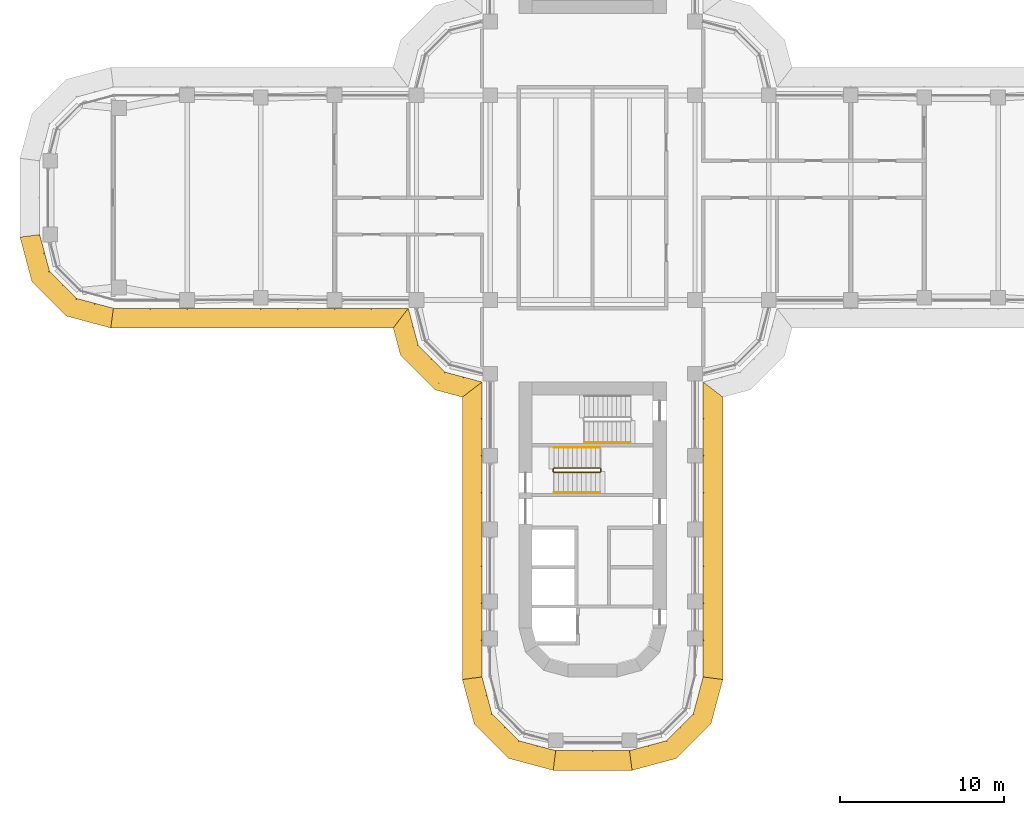
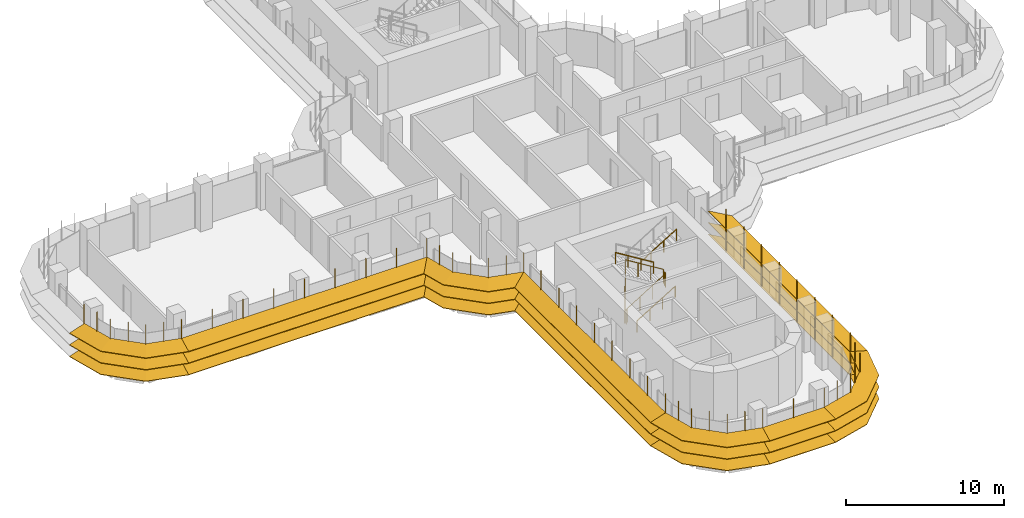
# One storey, part 19 of 22: 8 shading devices, 4 railings.
"""IFC4 building model written with IfcOpenShell, lengths in metres."""

from ifc_helpers import new_model, si_unit, direction, frame, origin, origin_2d, place, context, subcontext, project, spatial, polyline, circle, outline, extrude, faceted_brep, source, transform, mapped, material, type_object, element, save


model = new_model("IFC4")

# Units and contexts
model_context = context("Model", 3, precision=1e-05, world=origin(), true_north=direction((0.0, 1.0)))
body_context = subcontext(model_context, "Body", "Model", "MODEL_VIEW")
ifc_project = project(units=[si_unit("LENGTHUNIT", "METRE"), si_unit("AREAUNIT", "SQUARE_METRE"), si_unit("VOLUMEUNIT", "CUBIC_METRE"), si_unit("PLANEANGLEUNIT", "RADIAN"), si_unit("MASSUNIT", "GRAM", prefix="KILO")], contexts=[model_context])

# Site, building, storey
site_placement = place(None, origin())
site = spatial("IfcSite", under=ifc_project, at=site_placement, CompositionType="ELEMENT")
building_placement = place(site_placement, origin())
building = spatial("IfcBuilding", under=site, at=building_placement, Name="Zarbagh Exchange Tower", CompositionType="ELEMENT")
storey_placement = place(building_placement, frame((0.0, 0.0, 132.199951171875)))
storey = spatial("IfcBuildingStorey", under=building, at=storey_placement, Name="L31", CompositionType="ELEMENT", Elevation=132.199951171875)

# Railings
ifc_material_1 = material(Name="Stainless steel", Category="steel")
railing_type_1 = type_object("IfcRailingType", Name="Stair guard 1100 mm", PredefinedType="GUARDRAIL", material=ifc_material_1)
railing_1_placement = place(storey_placement, frame((0.449951171875, -16.5, 2.07275390625)))
element("IfcRailing", 1, at=railing_1_placement, inside=storey, type_object=railing_type_1, Name="ST3 stair guard 1", PredefinedType="GUARDRAIL", context=body_context, shape_type="SweptSolid", body=[
    extrude(circle(Radius=0.02392578125, at=origin_2d()), frame((0.0, 0.0, 1.076171875), z_axis=(-0.851089632645, 0.0, 0.525020415988), x_axis=(0.0, -1.0, 0.0)), (0.0, 0.0, 1.0), 3.2900390625),
    extrude(circle(Radius=0.02392578125, at=origin_2d()), frame((-2.800048828125, 0.0, 2.80322265625), z_axis=(-0.013104066473, -0.013168302093, -0.99982742474), x_axis=(0.708833529934, -0.705375805398, 0.0)), (0.0, 0.0, 1.0), 3.80078125),
    extrude(circle(Radius=0.02392578125, at=origin_2d()), frame((-2.849853515625, -0.050048828125, -0.99658203125), z_axis=(0.0, -1.0, 0.0), x_axis=(1.0, 0.0, 0.0)), (0.0, 0.0, 1.0), 0.14990234375),
    extrude(circle(Radius=0.02392578125, at=origin_2d()), frame((-2.849853515625, -0.199951171875, -0.99658203125), z_axis=(0.266739603011, -0.268047150085, 0.925743328097), x_axis=(0.708833529934, 0.705375805398, 0.0)), (0.0, 0.0, 1.0), 0.186767578125),
    extrude(circle(Radius=0.02392578125, at=origin_2d()), frame((-2.800048828125, -0.25, -0.82373046875), z_axis=(0.851089632645, 0.0, 0.525020415988), x_axis=(0.0, 1.0, 0.0)), (0.0, 0.0, 1.0), 3.2900390625),
    extrude(circle(Radius=0.02392578125, at=origin_2d()), frame((0.0, -0.25, 0.9033203125), z_axis=(0.707106781187, 0.707106781187, 0.0), x_axis=(-0.707106781187, 0.707106781187, 0.0)), (0.0, 0.0, 1.0), 0.07080078125),
    extrude(circle(Radius=0.02392578125, at=origin_2d()), frame((0.050048828125, -0.199951171875, 0.9033203125), z_axis=(0.0, 1.0, 0.0), x_axis=(-1.0, 0.0, 0.0)), (0.0, 0.0, 1.0), 0.14990234375),
    extrude(circle(Radius=0.02099609375, at=origin_2d()), origin(), (0.0, 0.0, 1.0), 1.052001953125),
    extrude(circle(Radius=0.02099609375, at=origin_2d()), frame((-0.933349609375, 0.0, 0.57568359375)), (0.0, 0.0, 1.0), 1.052001953125),
    extrude(circle(Radius=0.02099609375, at=origin_2d()), frame((-1.86669921875, 0.0, 1.151611328125)), (0.0, 0.0, 1.0), 1.052001953125),
    extrude(circle(Radius=0.02099609375, at=origin_2d()), frame((-2.800048828125, 0.0, 1.727294921875)), (0.0, 0.0, 1.0), 1.052001953125),
    extrude(circle(Radius=0.02099609375, at=origin_2d()), frame((-2.8125, -0.012451171875, 0.77734375)), (0.0, 0.0, 1.0), 1.052001953125),
    extrude(circle(Radius=0.02099609375, at=origin_2d()), frame((-2.824951171875, -0.02490234375, -0.1728515625)), (0.0, 0.0, 1.0), 1.052001953125),
    extrude(circle(Radius=0.02099609375, at=origin_2d()), frame((-2.83740234375, -0.03759765625, -1.122802734375)), (0.0, 0.0, 1.0), 1.052001953125),
    extrude(circle(Radius=0.02099609375, at=origin_2d()), frame((-2.849853515625, -0.050048828125, -2.07275390625)), (0.0, 0.0, 1.0), 1.052001953125),
    extrude(circle(Radius=0.02099609375, at=origin_2d()), frame((-2.849853515625, -0.199951171875, -2.07275390625)), (0.0, 0.0, 1.0), 1.052001953125),
    extrude(circle(Radius=0.02099609375, at=origin_2d()), frame((-2.800048828125, -0.25, -1.89990234375)), (0.0, 0.0, 1.0), 1.052001953125),
    extrude(circle(Radius=0.02099609375, at=origin_2d()), frame((-1.86669921875, -0.25, -1.32421875)), (0.0, 0.0, 1.0), 1.052001953125),
    extrude(circle(Radius=0.02099609375, at=origin_2d()), frame((-0.933349609375, -0.25, -0.748291015625)), (0.0, 0.0, 1.0), 1.052001953125),
    extrude(circle(Radius=0.02099609375, at=origin_2d()), frame((0.0, -0.25, -0.172607421875)), (0.0, 0.0, 1.0), 1.052001953125),
    extrude(circle(Radius=0.02099609375, at=origin_2d()), frame((0.050048828125, -0.199951171875, -0.172607421875)), (0.0, 0.0, 1.0), 1.052001953125),
    extrude(circle(Radius=0.02099609375, at=origin_2d()), frame((0.050048828125, -0.050048828125, -0.172607421875)), (0.0, 0.0, 1.0), 1.052001953125),
])
railing_type_2 = type_object("IfcRailingType", Name="Stair handrail 900 mm", PredefinedType="HANDRAIL", material=ifc_material_1)
railing_2_placement = place(storey_placement, frame((-2.35009765625, -18.0, 0.1728515625)))
element("IfcRailing", 2, at=railing_2_placement, inside=storey, type_object=railing_type_2, Name="ST3 stair handrail 1", PredefinedType="HANDRAIL", context=body_context, shape_type="SweptSolid", body=[
    extrude(circle(Radius=0.02392578125, at=origin_2d()), frame((0.0, 0.0, 0.8759765625), z_axis=(0.851089632645, 0.0, 0.525020415988), x_axis=(0.0, 1.0, 0.0)), (0.0, 0.0, 1.0), 3.2900390625),
    extrude(circle(Radius=0.02099609375, at=origin_2d()), origin(), (0.0, 0.0, 1.0), 0.851806640625),
    extrude(circle(Radius=0.02099609375, at=origin_2d()), frame((0.933349609375, 0.0, 0.57568359375)), (0.0, 0.0, 1.0), 0.851806640625),
    extrude(circle(Radius=0.02099609375, at=origin_2d()), frame((1.86669921875, 0.0, 1.151611328125)), (0.0, 0.0, 1.0), 0.851806640625),
    extrude(circle(Radius=0.02099609375, at=origin_2d()), frame((2.800048828125, 0.0, 1.727294921875)), (0.0, 0.0, 1.0), 0.851806640625),
])
railing_3_placement = place(storey_placement, frame((0.449951171875, -15.25, 2.07275390625)))
element("IfcRailing", 3, at=railing_3_placement, inside=storey, type_object=railing_type_2, Name="ST3 stair handrail 2", PredefinedType="HANDRAIL", context=body_context, shape_type="SweptSolid", body=[
    extrude(circle(Radius=0.02392578125, at=origin_2d()), frame((0.0, 0.0, 0.8759765625), z_axis=(-0.851089632645, 0.0, 0.525020415988), x_axis=(0.0, -1.0, 0.0)), (0.0, 0.0, 1.0), 3.2900390625),
    extrude(circle(Radius=0.02099609375, at=origin_2d()), origin(), (0.0, 0.0, 1.0), 0.851806640625),
    extrude(circle(Radius=0.02099609375, at=origin_2d()), frame((-0.933349609375, 0.0, 0.57568359375)), (0.0, 0.0, 1.0), 0.851806640625),
    extrude(circle(Radius=0.02099609375, at=origin_2d()), frame((-1.86669921875, 0.0, 1.151611328125)), (0.0, 0.0, 1.0), 0.851806640625),
    extrude(circle(Radius=0.02099609375, at=origin_2d()), frame((-2.800048828125, 0.0, 1.727294921875)), (0.0, 0.0, 1.0), 0.851806640625),
])
railing_4_placement = place(storey_placement, frame((-0.5, -14.949951171875, 2.07275390625)))
element("IfcRailing", 4, at=railing_4_placement, inside=storey, type_object=railing_type_2, Name="ST4 stair handrail 2", PredefinedType="HANDRAIL", context=body_context, shape_type="SweptSolid", body=[
    extrude(circle(Radius=0.02392578125, at=origin_2d()), frame((0.0, 0.0, 0.8759765625), z_axis=(0.851089632645, 0.0, 0.525020415988), x_axis=(0.0, 1.0, 0.0)), (0.0, 0.0, 1.0), 3.2900390625),
    extrude(circle(Radius=0.02099609375, at=origin_2d()), origin(), (0.0, 0.0, 1.0), 0.851806640625),
    extrude(circle(Radius=0.02099609375, at=origin_2d()), frame((0.933349609375, 0.0, 0.57568359375)), (0.0, 0.0, 1.0), 0.851806640625),
    extrude(circle(Radius=0.02099609375, at=origin_2d()), frame((1.86669921875, 0.0, 1.151611328125)), (0.0, 0.0, 1.0), 0.851806640625),
    extrude(circle(Radius=0.02099609375, at=origin_2d()), frame((2.800048828125, 0.0, 1.727294921875)), (0.0, 0.0, 1.0), 0.851806640625),
])

# Shading devices
ifc_material_2 = material(Name="Anodised aluminium blades and brackets", Category="aluminium")
shading_device_type = type_object("IfcShadingDeviceType", Name="SUNSHADE louvre band, 11.25 degree blades", PredefinedType="JALOUSIE", material=ifc_material_2)
shared_shape_1 = source(origin(), body_context, "Body", "Brep", [
    faceted_brep([(0.0, 0.0, 0.0), (0.0, 0.0, -0.040771484375), (-0.157958984375, -1.199951171875, -0.279541015625), (-0.157958984375, -1.199951171875, -0.23876953125), (2.65087890625, -1.199951171875, -0.23876953125), (2.65087890625, -1.199951171875, -0.279541015625), (2.329345703125, 0.0, -0.040771484375), (2.329345703125, 0.0, 0.0)], [[[0, 1, 2, 3]], [[4, 5, 6, 7]], [[0, 7, 6, 1]], [[1, 6, 5, 2]], [[2, 5, 4, 3]], [[3, 4, 7, 0]]]),
])
shared_shape_2 = source(origin(), body_context, "Body", "Brep", [
    faceted_brep([(0.0, 0.0, 0.0), (0.0, 0.0, -0.040771484375), (-0.321533203125, -1.199951171875, -0.279541015625), (-0.321533203125, -1.199951171875, -0.23876953125), (2.65087890625, -1.199951171875, -0.23876953125), (2.65087890625, -1.199951171875, -0.279541015625), (2.329345703125, 0.0, -0.040771484375), (2.329345703125, 0.0, 0.0)], [[[0, 1, 2, 3]], [[4, 5, 6, 7]], [[0, 7, 6, 1]], [[1, 6, 5, 2]], [[2, 5, 4, 3]], [[3, 4, 7, 0]]]),
])
shared_shape_3 = source(origin(), body_context, "Body", "Brep", [
    faceted_brep([(0.0, 0.0, 0.0), (0.0, 0.0, -0.040771484375), (-0.321533203125, -1.199951171875, -0.279541015625), (-0.321533203125, -1.199951171875, -0.23876953125), (2.4873046875, -1.199951171875, -0.23876953125), (2.4873046875, -1.199951171875, -0.279541015625), (2.329345703125, 0.0, -0.040771484375), (2.329345703125, 0.0, 0.0)], [[[0, 1, 2, 3]], [[4, 5, 6, 7]], [[0, 7, 6, 1]], [[1, 6, 5, 2]], [[2, 5, 4, 3]], [[3, 4, 7, 0]]]),
])
shared_shape_4 = source(origin(), body_context, "Body", "SweptSolid", [
    extrude(outline(polyline([(0.0, -0.012451171875), (0.06005859375, -0.012451171875), (0.06005859375, 0.012451171875), (0.0, 0.012451171875), (0.0, -0.012451171875)])), origin(), (0.0, 0.0, 1.0), 3.350830078125),
])
placement = place(storey_placement, origin())
element("IfcShadingDevice", 5, at=placement, inside=storey, type_object=shading_device_type, Name="SS01 sunshade band", PredefinedType="JALOUSIE", context=body_context, shape_type="MappedRepresentation", body=[
    mapped(shared_shape_1, transform((2.25, -33.75, 2.300048828125), x_axis=(0.965924289636, 0.258824779902, 0.0), y_axis=(-0.258824779902, 0.965924289636, 0.0), z_axis=(0.0, 0.0, 1.0))),
    mapped(shared_shape_1, transform((2.25, -33.75, 1.400146484375), x_axis=(0.965924289636, 0.258824779902, 0.0), y_axis=(-0.258824779902, 0.965924289636, 0.0), z_axis=(0.0, 0.0, 1.0))),
    mapped(shared_shape_1, transform((2.25, -33.75, 0.5), x_axis=(0.965924289636, 0.258824779902, 0.0), y_axis=(-0.258824779902, 0.965924289636, 0.0), z_axis=(0.0, 0.0, 1.0))),
    mapped(shared_shape_2, transform((4.5, -33.147216796875, 2.300048828125), x_axis=(0.707106781187, 0.707106781187, 0.0), y_axis=(-0.707106781187, 0.707106781187, 0.0), z_axis=(0.0, 0.0, 1.0))),
    mapped(shared_shape_2, transform((4.5, -33.147216796875, 1.400146484375), x_axis=(0.707106781187, 0.707106781187, 0.0), y_axis=(-0.707106781187, 0.707106781187, 0.0), z_axis=(0.0, 0.0, 1.0))),
    mapped(shared_shape_2, transform((4.5, -33.147216796875, 0.5), x_axis=(0.707106781187, 0.707106781187, 0.0), y_axis=(-0.707106781187, 0.707106781187, 0.0), z_axis=(0.0, 0.0, 1.0))),
    mapped(shared_shape_3, transform((6.147216796875, -31.5, 2.300048828125), x_axis=(0.258824779902, 0.965924289636, 0.0), y_axis=(-0.965924289636, 0.258824779902, 0.0), z_axis=(0.0, 0.0, 1.0))),
    mapped(shared_shape_3, transform((6.147216796875, -31.5, 1.400146484375), x_axis=(0.258824779902, 0.965924289636, 0.0), y_axis=(-0.965924289636, 0.258824779902, 0.0), z_axis=(0.0, 0.0, 1.0))),
    mapped(shared_shape_3, transform((6.147216796875, -31.5, 0.5), x_axis=(0.258824779902, 0.965924289636, 0.0), y_axis=(-0.965924289636, 0.258824779902, 0.0), z_axis=(0.0, 0.0, 1.0))),
    mapped(shared_shape_4, transform((2.25, -33.75, 0.42919921875), x_axis=(0.130529263012, -0.991444457092, 0.0), y_axis=(0.991444457092, 0.130529263012, 0.0), z_axis=(0.0, 0.0, 1.0))),
    mapped(shared_shape_4, transform((3.375, -33.448486328125, 0.42919921875), x_axis=(0.258825058029, -0.96592421511, 0.0), y_axis=(0.96592421511, 0.258825058029, 0.0), z_axis=(0.0, 0.0, 1.0))),
    mapped(shared_shape_4, transform((4.5, -33.147216796875, 0.42919921875), x_axis=(0.50000275701, -0.866023812018, 0.0), y_axis=(0.866023812018, 0.50000275701, 0.0), z_axis=(0.0, 0.0, 1.0))),
    mapped(shared_shape_4, transform((5.323486328125, -32.323486328125, 0.42919921875), x_axis=(0.707106781187, -0.707106781187, 0.0), y_axis=(0.707106781187, 0.707106781187, 0.0), z_axis=(0.0, 0.0, 1.0))),
    mapped(shared_shape_4, transform((6.147216796875, -31.5, 0.42919921875), x_axis=(0.866023812018, -0.50000275701, 0.0), y_axis=(0.50000275701, 0.866023812018, 0.0), z_axis=(0.0, 0.0, 1.0))),
    mapped(shared_shape_4, transform((6.448486328125, -30.375, 0.42919921875), x_axis=(0.96592421511, -0.258825058029, 0.0), y_axis=(0.258825058029, 0.96592421511, 0.0), z_axis=(0.0, 0.0, 1.0))),
])
element("IfcShadingDevice", 6, at=placement, inside=storey, type_object=shading_device_type, Name="SS19 sunshade band", PredefinedType="JALOUSIE", context=body_context, shape_type="MappedRepresentation", body=[
    mapped(shared_shape_1, transform((-33.75, -2.25, 2.300048828125), x_axis=(0.258824779902, -0.965924289636, 0.0), y_axis=(0.965924289636, 0.258824779902, 0.0), z_axis=(0.0, 0.0, 1.0))),
    mapped(shared_shape_1, transform((-33.75, -2.25, 1.400146484375), x_axis=(0.258824779902, -0.965924289636, 0.0), y_axis=(0.965924289636, 0.258824779902, 0.0), z_axis=(0.0, 0.0, 1.0))),
    mapped(shared_shape_1, transform((-33.75, -2.25, 0.5), x_axis=(0.258824779902, -0.965924289636, 0.0), y_axis=(0.965924289636, 0.258824779902, 0.0), z_axis=(0.0, 0.0, 1.0))),
    mapped(shared_shape_2, transform((-33.147216796875, -4.5, 2.300048828125), x_axis=(0.707106781187, -0.707106781187, 0.0), y_axis=(0.707106781187, 0.707106781187, 0.0), z_axis=(0.0, 0.0, 1.0))),
    mapped(shared_shape_2, transform((-33.147216796875, -4.5, 1.400146484375), x_axis=(0.707106781187, -0.707106781187, 0.0), y_axis=(0.707106781187, 0.707106781187, 0.0), z_axis=(0.0, 0.0, 1.0))),
    mapped(shared_shape_2, transform((-33.147216796875, -4.5, 0.5), x_axis=(0.707106781187, -0.707106781187, 0.0), y_axis=(0.707106781187, 0.707106781187, 0.0), z_axis=(0.0, 0.0, 1.0))),
    mapped(shared_shape_3, transform((-31.5, -6.147216796875, 2.300048828125), x_axis=(0.965924289636, -0.258824779902, 0.0), y_axis=(0.258824779902, 0.965924289636, 0.0), z_axis=(0.0, 0.0, 1.0))),
    mapped(shared_shape_3, transform((-31.5, -6.147216796875, 1.400146484375), x_axis=(0.965924289636, -0.258824779902, 0.0), y_axis=(0.258824779902, 0.965924289636, 0.0), z_axis=(0.0, 0.0, 1.0))),
    mapped(shared_shape_3, transform((-31.5, -6.147216796875, 0.5), x_axis=(0.965924289636, -0.258824779902, 0.0), y_axis=(0.258824779902, 0.965924289636, 0.0), z_axis=(0.0, 0.0, 1.0))),
    mapped(shared_shape_4, transform((-33.75, -2.25, 0.42919921875), x_axis=(-0.991444457092, -0.130529263012, 0.0), y_axis=(0.130529263012, -0.991444457092, 0.0), z_axis=(0.0, 0.0, 1.0))),
    mapped(shared_shape_4, transform((-33.448486328125, -3.375, 0.42919921875), x_axis=(-0.96592421511, -0.258825058029, 0.0), y_axis=(0.258825058029, -0.96592421511, 0.0), z_axis=(0.0, 0.0, 1.0))),
    mapped(shared_shape_4, transform((-33.147216796875, -4.5, 0.42919921875), x_axis=(-0.866023812018, -0.50000275701, 0.0), y_axis=(0.50000275701, -0.866023812018, 0.0), z_axis=(0.0, 0.0, 1.0))),
    mapped(shared_shape_4, transform((-32.323486328125, -5.323486328125, 0.42919921875), x_axis=(-0.707106781187, -0.707106781187, 0.0), y_axis=(0.707106781187, -0.707106781187, 0.0), z_axis=(0.0, 0.0, 1.0))),
    mapped(shared_shape_4, transform((-31.5, -6.147216796875, 0.42919921875), x_axis=(-0.50000275701, -0.866023812018, 0.0), y_axis=(0.866023812018, -0.50000275701, 0.0), z_axis=(0.0, 0.0, 1.0))),
    mapped(shared_shape_4, transform((-30.375, -6.448486328125, 0.42919921875), x_axis=(-0.258825058029, -0.96592421511, 0.0), y_axis=(0.96592421511, -0.258825058029, 0.0), z_axis=(0.0, 0.0, 1.0))),
])
element("IfcShadingDevice", 7, at=placement, inside=storey, type_object=shading_device_type, Name="SS23 sunshade band", PredefinedType="JALOUSIE", context=body_context, shape_type="MappedRepresentation", body=[
    mapped(shared_shape_1, transform((-6.75, -29.25, 2.300048828125), x_axis=(0.258824779902, -0.965924289636, 0.0), y_axis=(0.965924289636, 0.258824779902, 0.0), z_axis=(0.0, 0.0, 1.0))),
    mapped(shared_shape_1, transform((-6.75, -29.25, 1.400146484375), x_axis=(0.258824779902, -0.965924289636, 0.0), y_axis=(0.965924289636, 0.258824779902, 0.0), z_axis=(0.0, 0.0, 1.0))),
    mapped(shared_shape_1, transform((-6.75, -29.25, 0.5), x_axis=(0.258824779902, -0.965924289636, 0.0), y_axis=(0.965924289636, 0.258824779902, 0.0), z_axis=(0.0, 0.0, 1.0))),
    mapped(shared_shape_2, transform((-6.147216796875, -31.5, 2.300048828125), x_axis=(0.707106781187, -0.707106781187, 0.0), y_axis=(0.707106781187, 0.707106781187, 0.0), z_axis=(0.0, 0.0, 1.0))),
    mapped(shared_shape_2, transform((-6.147216796875, -31.5, 1.400146484375), x_axis=(0.707106781187, -0.707106781187, 0.0), y_axis=(0.707106781187, 0.707106781187, 0.0), z_axis=(0.0, 0.0, 1.0))),
    mapped(shared_shape_2, transform((-6.147216796875, -31.5, 0.5), x_axis=(0.707106781187, -0.707106781187, 0.0), y_axis=(0.707106781187, 0.707106781187, 0.0), z_axis=(0.0, 0.0, 1.0))),
    mapped(shared_shape_3, transform((-4.5, -33.147216796875, 2.300048828125), x_axis=(0.965924289636, -0.258824779902, 0.0), y_axis=(0.258824779902, 0.965924289636, 0.0), z_axis=(0.0, 0.0, 1.0))),
    mapped(shared_shape_3, transform((-4.5, -33.147216796875, 1.400146484375), x_axis=(0.965924289636, -0.258824779902, 0.0), y_axis=(0.258824779902, 0.965924289636, 0.0), z_axis=(0.0, 0.0, 1.0))),
    mapped(shared_shape_3, transform((-4.5, -33.147216796875, 0.5), x_axis=(0.965924289636, -0.258824779902, 0.0), y_axis=(0.258824779902, 0.965924289636, 0.0), z_axis=(0.0, 0.0, 1.0))),
    mapped(shared_shape_4, transform((-6.75, -29.25, 0.42919921875), x_axis=(-0.991444457092, -0.130529263012, 0.0), y_axis=(0.130529263012, -0.991444457092, 0.0), z_axis=(0.0, 0.0, 1.0))),
    mapped(shared_shape_4, transform((-6.448486328125, -30.375, 0.42919921875), x_axis=(-0.96592421511, -0.258825058029, 0.0), y_axis=(0.258825058029, -0.96592421511, 0.0), z_axis=(0.0, 0.0, 1.0))),
    mapped(shared_shape_4, transform((-6.147216796875, -31.5, 0.42919921875), x_axis=(-0.866023812018, -0.50000275701, 0.0), y_axis=(0.50000275701, -0.866023812018, 0.0), z_axis=(0.0, 0.0, 1.0))),
    mapped(shared_shape_4, transform((-5.323486328125, -32.323486328125, 0.42919921875), x_axis=(-0.707106781187, -0.707106781187, 0.0), y_axis=(0.707106781187, -0.707106781187, 0.0), z_axis=(0.0, 0.0, 1.0))),
    mapped(shared_shape_4, transform((-4.5, -33.147216796875, 0.42919921875), x_axis=(-0.50000275701, -0.866023812018, 0.0), y_axis=(0.866023812018, -0.50000275701, 0.0), z_axis=(0.0, 0.0, 1.0))),
    mapped(shared_shape_4, transform((-3.375, -33.448486328125, 0.42919921875), x_axis=(-0.258825058029, -0.96592421511, 0.0), y_axis=(0.96592421511, -0.258825058029, 0.0), z_axis=(0.0, 0.0, 1.0))),
])
shared_shape_5 = source(origin(), body_context, "Body", "Brep", [
    faceted_brep([(0.0, 0.0, 0.0), (0.0, 0.0, -0.040771484375), (0.9208984375, -1.199951171875, -0.279541015625), (0.9208984375, -1.199951171875, -0.23876953125), (2.65087890625, -1.199951171875, -0.23876953125), (2.65087890625, -1.199951171875, -0.279541015625), (2.329345703125, 0.0, -0.040771484375), (2.329345703125, 0.0, 0.0)], [[[0, 1, 2, 3]], [[4, 5, 6, 7]], [[0, 7, 6, 1]], [[1, 6, 5, 2]], [[2, 5, 4, 3]], [[3, 4, 7, 0]]]),
])
shared_shape_6 = source(origin(), body_context, "Body", "Brep", [
    faceted_brep([(0.0, 0.0, 0.0), (0.0, 0.0, -0.040771484375), (-0.321533203125, -1.199951171875, -0.279541015625), (-0.321533203125, -1.199951171875, -0.23876953125), (1.40869140625, -1.199951171875, -0.23876953125), (1.40869140625, -1.199951171875, -0.279541015625), (2.329345703125, 0.0, -0.040771484375), (2.329345703125, 0.0, 0.0)], [[[0, 1, 2, 3]], [[4, 5, 6, 7]], [[0, 7, 6, 1]], [[1, 6, 5, 2]], [[2, 5, 4, 3]], [[3, 4, 7, 0]]]),
])
element("IfcShadingDevice", 8, at=placement, inside=storey, type_object=shading_device_type, Name="SS21 sunshade band", PredefinedType="JALOUSIE", context=body_context, shape_type="MappedRepresentation", body=[
    mapped(shared_shape_5, transform((-11.25, -6.75, 2.300048828125), x_axis=(0.258824779902, -0.965924289636, 0.0), y_axis=(0.965924289636, 0.258824779902, 0.0), z_axis=(0.0, 0.0, 1.0))),
    mapped(shared_shape_5, transform((-11.25, -6.75, 1.400146484375), x_axis=(0.258824779902, -0.965924289636, 0.0), y_axis=(0.965924289636, 0.258824779902, 0.0), z_axis=(0.0, 0.0, 1.0))),
    mapped(shared_shape_5, transform((-11.25, -6.75, 0.5), x_axis=(0.258824779902, -0.965924289636, 0.0), y_axis=(0.965924289636, 0.258824779902, 0.0), z_axis=(0.0, 0.0, 1.0))),
    mapped(shared_shape_2, transform((-10.647216796875, -9.0, 2.300048828125), x_axis=(0.707106781187, -0.707106781187, 0.0), y_axis=(0.707106781187, 0.707106781187, 0.0), z_axis=(0.0, 0.0, 1.0))),
    mapped(shared_shape_2, transform((-10.647216796875, -9.0, 1.400146484375), x_axis=(0.707106781187, -0.707106781187, 0.0), y_axis=(0.707106781187, 0.707106781187, 0.0), z_axis=(0.0, 0.0, 1.0))),
    mapped(shared_shape_2, transform((-10.647216796875, -9.0, 0.5), x_axis=(0.707106781187, -0.707106781187, 0.0), y_axis=(0.707106781187, 0.707106781187, 0.0), z_axis=(0.0, 0.0, 1.0))),
    mapped(shared_shape_6, transform((-9.0, -10.647216796875, 2.300048828125), x_axis=(0.965924289636, -0.258824779902, 0.0), y_axis=(0.258824779902, 0.965924289636, 0.0), z_axis=(0.0, 0.0, 1.0))),
    mapped(shared_shape_6, transform((-9.0, -10.647216796875, 1.400146484375), x_axis=(0.965924289636, -0.258824779902, 0.0), y_axis=(0.258824779902, 0.965924289636, 0.0), z_axis=(0.0, 0.0, 1.0))),
    mapped(shared_shape_6, transform((-9.0, -10.647216796875, 0.5), x_axis=(0.965924289636, -0.258824779902, 0.0), y_axis=(0.258824779902, 0.965924289636, 0.0), z_axis=(0.0, 0.0, 1.0))),
    mapped(shared_shape_4, transform((-11.25, -6.75, 0.42919921875), x_axis=(-0.608758892, -0.793355287, 0.0), y_axis=(0.793355287, -0.608758892, 0.0), z_axis=(0.0, 0.0, 1.0))),
    mapped(shared_shape_4, transform((-10.948486328125, -7.875, 0.42919921875), x_axis=(-0.96592421511, -0.258825058029, 0.0), y_axis=(0.258825058029, -0.96592421511, 0.0), z_axis=(0.0, 0.0, 1.0))),
    mapped(shared_shape_4, transform((-10.647216796875, -9.0, 0.42919921875), x_axis=(-0.866023812018, -0.50000275701, 0.0), y_axis=(0.50000275701, -0.866023812018, 0.0), z_axis=(0.0, 0.0, 1.0))),
    mapped(shared_shape_4, transform((-9.823486328125, -9.823486328125, 0.42919921875), x_axis=(-0.707106781187, -0.707106781187, 0.0), y_axis=(0.707106781187, -0.707106781187, 0.0), z_axis=(0.0, 0.0, 1.0))),
    mapped(shared_shape_4, transform((-9.0, -10.647216796875, 0.42919921875), x_axis=(-0.50000275701, -0.866023812018, 0.0), y_axis=(0.866023812018, -0.50000275701, 0.0), z_axis=(0.0, 0.0, 1.0))),
    mapped(shared_shape_4, transform((-7.875, -10.948486328125, 0.42919921875), x_axis=(-0.258825058029, -0.96592421511, 0.0), y_axis=(0.96592421511, -0.258825058029, 0.0), z_axis=(0.0, 0.0, 1.0))),
])
shared_shape_7 = source(origin(), body_context, "Body", "Brep", [
    faceted_brep([(0.0, 0.0, 0.0), (0.0, 0.0, -0.040771484375), (-0.157958984375, -1.199951171875, -0.279541015625), (-0.157958984375, -1.199951171875, -0.23876953125), (17.0791015625, -1.199951171875, -0.23876953125), (17.0791015625, -1.199951171875, -0.279541015625), (18.0, 0.0, -0.040771484375), (18.0, 0.0, 0.0)], [[[0, 1, 2, 3]], [[4, 5, 6, 7]], [[0, 7, 6, 1]], [[1, 6, 5, 2]], [[2, 5, 4, 3]], [[3, 4, 7, 0]]]),
])
element("IfcShadingDevice", 9, at=placement, inside=storey, type_object=shading_device_type, Name="SS02 sunshade band", PredefinedType="JALOUSIE", context=body_context, shape_type="MappedRepresentation", body=[
    mapped(shared_shape_7, transform((6.75, -29.25, 2.300048828125), x_axis=(0.0, 1.0, 0.0), y_axis=(-1.0, 0.0, 0.0), z_axis=(0.0, 0.0, 1.0))),
    mapped(shared_shape_7, transform((6.75, -29.25, 1.400146484375), x_axis=(0.0, 1.0, 0.0), y_axis=(-1.0, 0.0, 0.0), z_axis=(0.0, 0.0, 1.0))),
    mapped(shared_shape_7, transform((6.75, -29.25, 0.5), x_axis=(0.0, 1.0, 0.0), y_axis=(-1.0, 0.0, 0.0), z_axis=(0.0, 0.0, 1.0))),
    mapped(shared_shape_4, transform((6.75, -29.25, 0.42919921875), x_axis=(0.991444457092, -0.130529263012, 0.0), y_axis=(0.130529263012, 0.991444457092, 0.0), z_axis=(0.0, 0.0, 1.0))),
    mapped(shared_shape_4, transform((6.75, -27.0, 0.42919921875), x_axis=(1.0, 0.0, 0.0), y_axis=(0.0, 1.0, 0.0), z_axis=(0.0, 0.0, 1.0))),
    mapped(shared_shape_4, transform((6.75, -24.75, 0.42919921875), x_axis=(1.0, 0.0, 0.0), y_axis=(0.0, 1.0, 0.0), z_axis=(0.0, 0.0, 1.0))),
    mapped(shared_shape_4, transform((6.75, -22.5, 0.42919921875), x_axis=(1.0, 0.0, 0.0), y_axis=(0.0, 1.0, 0.0), z_axis=(0.0, 0.0, 1.0))),
    mapped(shared_shape_4, transform((6.75, -20.25, 0.42919921875), x_axis=(1.0, 0.0, 0.0), y_axis=(0.0, 1.0, 0.0), z_axis=(0.0, 0.0, 1.0))),
    mapped(shared_shape_4, transform((6.75, -18.0, 0.42919921875), x_axis=(1.0, 0.0, 0.0), y_axis=(0.0, 1.0, 0.0), z_axis=(0.0, 0.0, 1.0))),
    mapped(shared_shape_4, transform((6.75, -15.75, 0.42919921875), x_axis=(1.0, 0.0, 0.0), y_axis=(0.0, 1.0, 0.0), z_axis=(0.0, 0.0, 1.0))),
    mapped(shared_shape_4, transform((6.75, -13.5, 0.42919921875), x_axis=(1.0, 0.0, 0.0), y_axis=(0.0, 1.0, 0.0), z_axis=(0.0, 0.0, 1.0))),
])
element("IfcShadingDevice", 10, at=placement, inside=storey, type_object=shading_device_type, Name="SS20 sunshade band", PredefinedType="JALOUSIE", context=body_context, shape_type="MappedRepresentation", body=[
    mapped(shared_shape_7, transform((-29.25, -6.75, 2.300048828125), x_axis=(1.0, 0.0, 0.0), y_axis=(0.0, 1.0, 0.0), z_axis=(0.0, 0.0, 1.0))),
    mapped(shared_shape_7, transform((-29.25, -6.75, 1.400146484375), x_axis=(1.0, 0.0, 0.0), y_axis=(0.0, 1.0, 0.0), z_axis=(0.0, 0.0, 1.0))),
    mapped(shared_shape_7, transform((-29.25, -6.75, 0.5), x_axis=(1.0, 0.0, 0.0), y_axis=(0.0, 1.0, 0.0), z_axis=(0.0, 0.0, 1.0))),
    mapped(shared_shape_4, transform((-29.25, -6.75, 0.42919921875), x_axis=(-0.130529263012, -0.991444457092, 0.0), y_axis=(0.991444457092, -0.130529263012, 0.0), z_axis=(0.0, 0.0, 1.0))),
    mapped(shared_shape_4, transform((-27.0, -6.75, 0.42919921875), x_axis=(0.0, -1.0, 0.0), y_axis=(1.0, 0.0, 0.0), z_axis=(0.0, 0.0, 1.0))),
    mapped(shared_shape_4, transform((-24.75, -6.75, 0.42919921875), x_axis=(0.0, -1.0, 0.0), y_axis=(1.0, 0.0, 0.0), z_axis=(0.0, 0.0, 1.0))),
    mapped(shared_shape_4, transform((-22.5, -6.75, 0.42919921875), x_axis=(0.0, -1.0, 0.0), y_axis=(1.0, 0.0, 0.0), z_axis=(0.0, 0.0, 1.0))),
    mapped(shared_shape_4, transform((-20.25, -6.75, 0.42919921875), x_axis=(0.0, -1.0, 0.0), y_axis=(1.0, 0.0, 0.0), z_axis=(0.0, 0.0, 1.0))),
    mapped(shared_shape_4, transform((-18.0, -6.75, 0.42919921875), x_axis=(0.0, -1.0, 0.0), y_axis=(1.0, 0.0, 0.0), z_axis=(0.0, 0.0, 1.0))),
    mapped(shared_shape_4, transform((-15.75, -6.75, 0.42919921875), x_axis=(0.0, -1.0, 0.0), y_axis=(1.0, 0.0, 0.0), z_axis=(0.0, 0.0, 1.0))),
    mapped(shared_shape_4, transform((-13.5, -6.75, 0.42919921875), x_axis=(0.0, -1.0, 0.0), y_axis=(1.0, 0.0, 0.0), z_axis=(0.0, 0.0, 1.0))),
])
shared_shape_8 = source(origin(), body_context, "Body", "Brep", [
    faceted_brep([(0.0, 0.0, 0.0), (0.0, 0.0, -0.040771484375), (0.9208984375, -1.199951171875, -0.279541015625), (0.9208984375, -1.199951171875, -0.23876953125), (18.157958984375, -1.199951171875, -0.23876953125), (18.157958984375, -1.199951171875, -0.279541015625), (18.0, 0.0, -0.040771484375), (18.0, 0.0, 0.0)], [[[0, 1, 2, 3]], [[4, 5, 6, 7]], [[0, 7, 6, 1]], [[1, 6, 5, 2]], [[2, 5, 4, 3]], [[3, 4, 7, 0]]]),
])
element("IfcShadingDevice", 11, at=placement, inside=storey, type_object=shading_device_type, Name="SS22 sunshade band", PredefinedType="JALOUSIE", context=body_context, shape_type="MappedRepresentation", body=[
    mapped(shared_shape_8, transform((-6.75, -11.25, 2.300048828125), x_axis=(0.0, -1.0, 0.0), y_axis=(1.0, 0.0, 0.0), z_axis=(0.0, 0.0, 1.0))),
    mapped(shared_shape_8, transform((-6.75, -11.25, 1.400146484375), x_axis=(0.0, -1.0, 0.0), y_axis=(1.0, 0.0, 0.0), z_axis=(0.0, 0.0, 1.0))),
    mapped(shared_shape_8, transform((-6.75, -11.25, 0.5), x_axis=(0.0, -1.0, 0.0), y_axis=(1.0, 0.0, 0.0), z_axis=(0.0, 0.0, 1.0))),
    mapped(shared_shape_4, transform((-6.75, -11.25, 0.42919921875), x_axis=(-0.793355287, -0.608758892, 0.0), y_axis=(0.608758892, -0.793355287, 0.0), z_axis=(0.0, 0.0, 1.0))),
    mapped(shared_shape_4, transform((-6.75, -13.5, 0.42919921875), x_axis=(-1.0, 0.0, 0.0), y_axis=(0.0, -1.0, 0.0), z_axis=(0.0, 0.0, 1.0))),
    mapped(shared_shape_4, transform((-6.75, -15.75, 0.42919921875), x_axis=(-1.0, 0.0, 0.0), y_axis=(0.0, -1.0, 0.0), z_axis=(0.0, 0.0, 1.0))),
    mapped(shared_shape_4, transform((-6.75, -18.0, 0.42919921875), x_axis=(-1.0, 0.0, 0.0), y_axis=(0.0, -1.0, 0.0), z_axis=(0.0, 0.0, 1.0))),
    mapped(shared_shape_4, transform((-6.75, -20.25, 0.42919921875), x_axis=(-1.0, 0.0, 0.0), y_axis=(0.0, -1.0, 0.0), z_axis=(0.0, 0.0, 1.0))),
    mapped(shared_shape_4, transform((-6.75, -22.5, 0.42919921875), x_axis=(-1.0, 0.0, 0.0), y_axis=(0.0, -1.0, 0.0), z_axis=(0.0, 0.0, 1.0))),
    mapped(shared_shape_4, transform((-6.75, -24.75, 0.42919921875), x_axis=(-1.0, 0.0, 0.0), y_axis=(0.0, -1.0, 0.0), z_axis=(0.0, 0.0, 1.0))),
    mapped(shared_shape_4, transform((-6.75, -27.0, 0.42919921875), x_axis=(-1.0, 0.0, 0.0), y_axis=(0.0, -1.0, 0.0), z_axis=(0.0, 0.0, 1.0))),
])
shared_shape_9 = source(origin(), body_context, "Body", "Brep", [
    faceted_brep([(0.0, 0.0, 0.0), (0.0, 0.0, -0.040771484375), (-0.157958984375, -1.199951171875, -0.279541015625), (-0.157958984375, -1.199951171875, -0.23876953125), (4.657958984375, -1.199951171875, -0.23876953125), (4.657958984375, -1.199951171875, -0.279541015625), (4.5, 0.0, -0.040771484375), (4.5, 0.0, 0.0)], [[[0, 1, 2, 3]], [[4, 5, 6, 7]], [[0, 7, 6, 1]], [[1, 6, 5, 2]], [[2, 5, 4, 3]], [[3, 4, 7, 0]]]),
])
element("IfcShadingDevice", 12, at=placement, inside=storey, type_object=shading_device_type, Name="SS24 sunshade band", PredefinedType="JALOUSIE", context=body_context, shape_type="MappedRepresentation", body=[
    mapped(shared_shape_9, transform((-2.25, -33.75, 2.300048828125), x_axis=(1.0, 0.0, 0.0), y_axis=(0.0, 1.0, 0.0), z_axis=(0.0, 0.0, 1.0))),
    mapped(shared_shape_9, transform((-2.25, -33.75, 1.400146484375), x_axis=(1.0, 0.0, 0.0), y_axis=(0.0, 1.0, 0.0), z_axis=(0.0, 0.0, 1.0))),
    mapped(shared_shape_9, transform((-2.25, -33.75, 0.5), x_axis=(1.0, 0.0, 0.0), y_axis=(0.0, 1.0, 0.0), z_axis=(0.0, 0.0, 1.0))),
    mapped(shared_shape_4, transform((-2.25, -33.75, 0.42919921875), x_axis=(-0.130529263012, -0.991444457092, 0.0), y_axis=(0.991444457092, -0.130529263012, 0.0), z_axis=(0.0, 0.0, 1.0))),
    mapped(shared_shape_4, transform((0.0, -33.75, 0.42919921875), x_axis=(0.0, -1.0, 0.0), y_axis=(1.0, 0.0, 0.0), z_axis=(0.0, 0.0, 1.0))),
])

save(model, "model.ifc")
